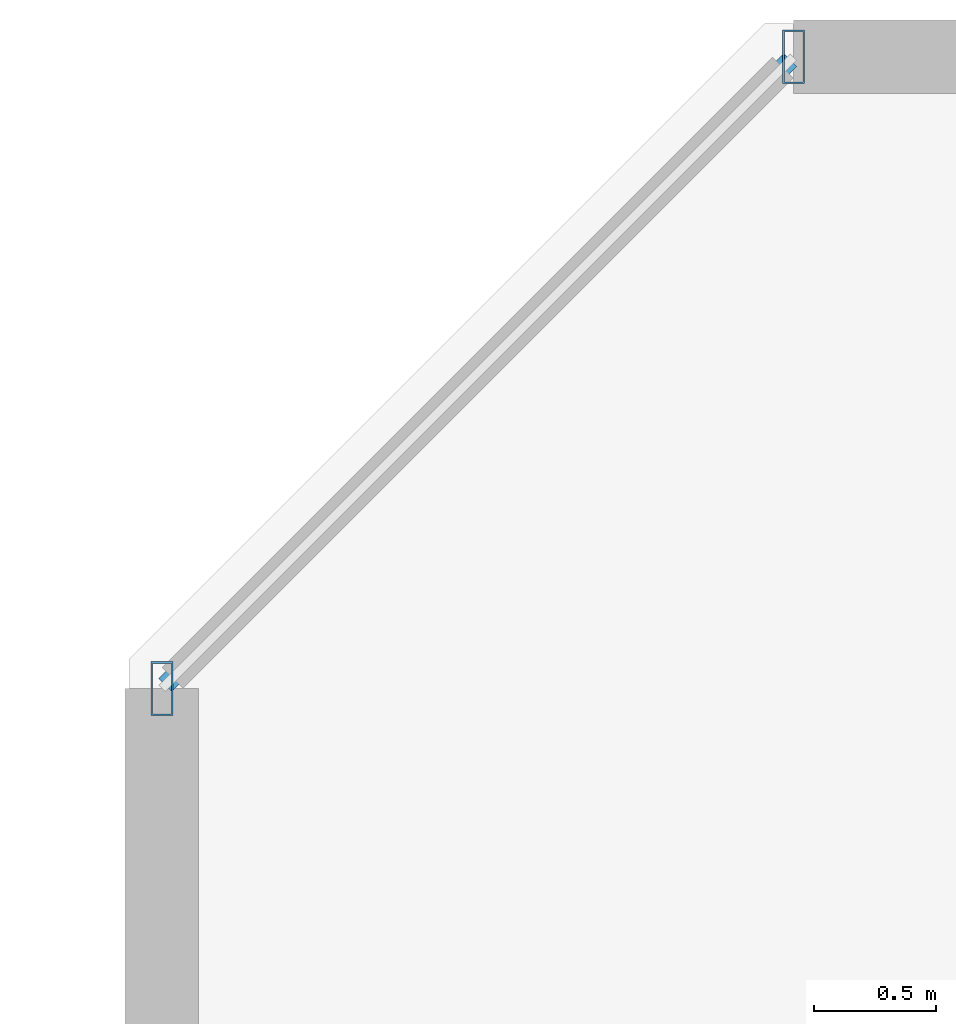
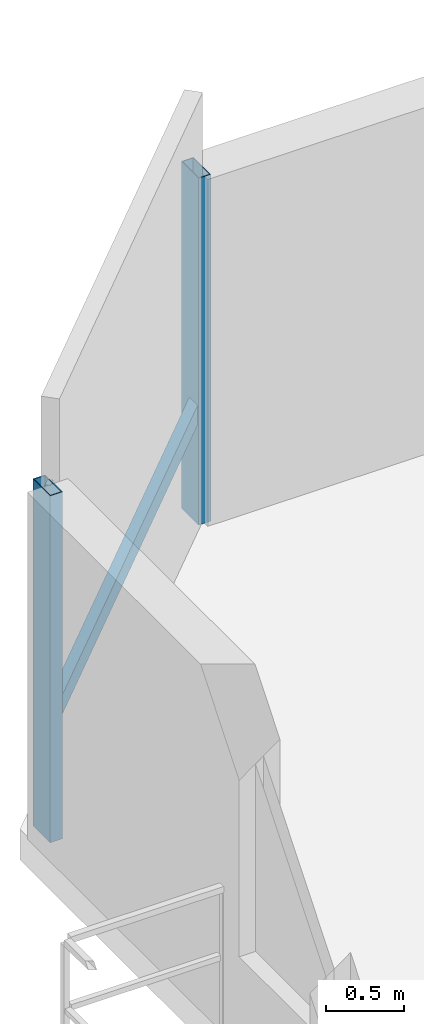
# One storey, part 7 of 33: 3 members, 1 element without a shape of its own.
"""IFC4 building model written with IfcOpenShell, lengths in metres."""

from ifc_helpers import new_model, si_unit, direction, frame, origin, origin_2d, place, context, subcontext, project, spatial, hollow_rectangle, extrude, material, material_profile, profile_set, type_object, element, aggregate, save


model = new_model("IFC4")

# Units and contexts
model_context = context("Model", 3, precision=1e-05, world=origin(), true_north=direction((0.0, 1.0)))
body_context = subcontext(model_context, "Body", "Model", "MODEL_VIEW")
ifc_project = project(units=[si_unit("LENGTHUNIT", "METRE"), si_unit("AREAUNIT", "SQUARE_METRE"), si_unit("VOLUMEUNIT", "CUBIC_METRE"), si_unit("PLANEANGLEUNIT", "RADIAN"), si_unit("MASSUNIT", "GRAM", prefix="KILO")], contexts=[model_context])

# Site, building, storey
site_placement = place(None, origin())
site = spatial("IfcSite", under=ifc_project, at=site_placement, CompositionType="ELEMENT")
building_placement = place(site_placement, origin())
building = spatial("IfcBuilding", under=site, at=building_placement, Name="Thornwick Lancets Civic Towers", CompositionType="ELEMENT")
storey_placement = place(building_placement, frame((0.0, 0.0, 38.699951171875)))
storey = spatial("IfcBuildingStorey", under=building, at=storey_placement, Name="L09", CompositionType="ELEMENT", Elevation=38.699951171875)

# Curtain wall, members
ifc_material_1 = material(Name="Low-zone chamfered-corner unitised glass curtain wall", Category="glass")
curtain_wall_type = type_object("IfcCurtainWallType", Name="CW_SYS_03", PredefinedType="NOTDEFINED", material=ifc_material_1)
curtain_wall_placement = place(storey_placement, origin())
curtain_wall = element("IfcCurtainWall", 1, at=curtain_wall_placement, inside=storey, type_object=curtain_wall_type, Name="L09 Curtain Wall CW-L09-A-E5", PredefinedType="NOTDEFINED")
ifc_material_2 = material(Name="Thermally broken bronze aluminium S355", Category="steel")
ifc_material_profile_1 = material_profile(ifc_material_2, hollow_rectangle(XDim=0.090087890625, YDim=0.219970703125, WallThickness=0.00634765625, at=origin_2d()), Name="RHS 220x90x6.3")
ifc_profile_set_1 = profile_set([ifc_material_profile_1], Name="Thermally broken bronze aluminium S355")
member_type_1 = type_object("IfcMemberType", Name="CW_MUL_220", PredefinedType="MULLION", material=ifc_profile_set_1)
member_1_placement = place(storey_placement, frame((3.81884765625, 45.264892578125, 0.0), z_axis=(0.0, 0.0, 1.0), x_axis=(1.0, 0.0, 0.0)))
member_1 = element("IfcMember", 2, at=member_1_placement, type_object=member_type_1, Name="CW-L09-A-E5 Mullion 0", PredefinedType="MULLION", context=body_context, shape_type="SweptSolid", body=[
    extrude(hollow_rectangle(XDim=0.090087890625, YDim=0.219970703125, WallThickness=0.00634765625, at=origin_2d()), origin(), (0.0, 0.0, 1.0), 2.699951171875),
])
member_2_placement = place(storey_placement, frame((1.235107421875, 42.68115234375, 0.0), z_axis=(0.0, 0.0, 1.0), x_axis=(1.0, 0.0, 0.0)))
member_2 = element("IfcMember", 3, at=member_2_placement, type_object=member_type_1, Name="CW-L09-A-E5 Mullion 1", PredefinedType="MULLION", context=body_context, shape_type="SweptSolid", body=[
    extrude(hollow_rectangle(XDim=0.090087890625, YDim=0.219970703125, WallThickness=0.00634765625, at=origin_2d()), origin(), (0.0, 0.0, 1.0), 2.699951171875),
])
ifc_material_profile_2 = material_profile(ifc_material_2, hollow_rectangle(XDim=0.074951171875, YDim=0.14990234375, WallThickness=0.0048828125, at=origin_2d()), Name="RHS 150x75x5")
ifc_profile_set_2 = profile_set([ifc_material_profile_2], Name="Thermally broken bronze aluminium S355")
member_type_2 = type_object("IfcMemberType", Name="CW_TRN_150", PredefinedType="USERDEFINED", material=ifc_profile_set_2)
member_3_placement = place(storey_placement, frame((3.8046875, 45.250732421875, 0.85009765625), z_axis=(-0.707106781187, -0.707106781187, 0.0), x_axis=(0.707106781187, -0.707106781187, 0.0)))
member_3 = element("IfcMember", 4, at=member_3_placement, type_object=member_type_2, Name="CW-L09-A-E5 Transom 0", ObjectType="TRANSOM", PredefinedType="USERDEFINED", context=body_context, shape_type="SweptSolid", body=[
    extrude(hollow_rectangle(XDim=0.074951171875, YDim=0.14990234375, WallThickness=0.0048828125, at=origin_2d()), origin(), (0.0, 0.0, 1.0), 3.614013671875),
])
aggregate(curtain_wall, [member_1, member_2, member_3])

save(model, "model.ifc")
